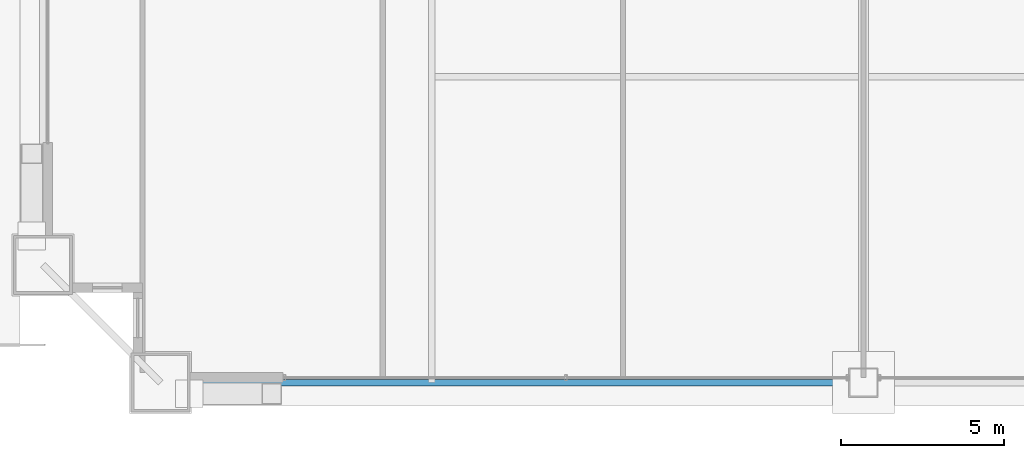
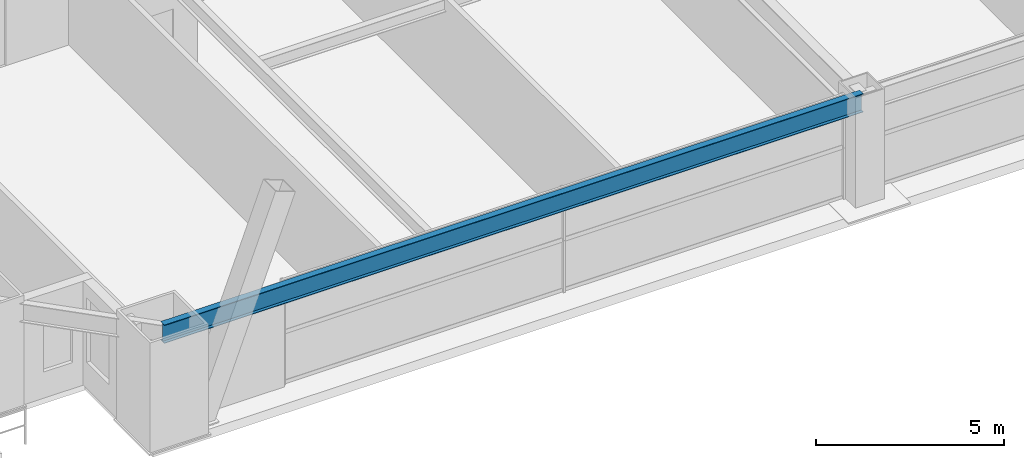
# One storey, part 6 of 45: 1 beam.
"""IFC4 building model written with IfcOpenShell, lengths in metres."""

from ifc_helpers import new_model, si_unit, direction, frame, origin, origin_2d, place, context, subcontext, project, spatial, i_section, extrude, source, transform, mapped, material, material_profile, profile_set, type_object, element, save


model = new_model("IFC4")

# Units and contexts
model_context = context("Model", 3, precision=1e-05, world=origin(), true_north=direction((0.0, 1.0)))
body_context = subcontext(model_context, "Body", "Model", "MODEL_VIEW")
ifc_project = project(units=[si_unit("LENGTHUNIT", "METRE"), si_unit("AREAUNIT", "SQUARE_METRE"), si_unit("VOLUMEUNIT", "CUBIC_METRE"), si_unit("PLANEANGLEUNIT", "RADIAN"), si_unit("MASSUNIT", "GRAM", prefix="KILO"), si_unit("THERMODYNAMICTEMPERATUREUNIT", "KELVIN"), si_unit("POWERUNIT", "WATT")], contexts=[model_context])

# Site, building, storey
site_placement = place(None, origin())
site = spatial("IfcSite", under=ifc_project, at=site_placement, CompositionType="ELEMENT")
building_placement = place(site_placement, origin())
building = spatial("IfcBuilding", under=site, at=building_placement, Name="Yuzanri Waterfront Tower", CompositionType="ELEMENT")
storey_placement = place(building_placement, frame((0.0, 0.0, 30.60009765625)))
storey = spatial("IfcBuildingStorey", under=building, at=storey_placement, Name="L07", CompositionType="ELEMENT", Elevation=30.60009765625)

# Beam
ifc_material = material(Name="Steel Q355B", Category="steel")
ifc_material_profile = material_profile(ifc_material, i_section(OverallWidth=0.199951171875, OverallDepth=0.60009765625, WebThickness=0.010986328125, FlangeThickness=0.01708984375, at=origin_2d()), Name="HN 600x200x11x17")
ifc_profile_set = profile_set([ifc_material_profile], Name="Steel Q355B")
beam_type = type_object("IfcBeamType", Name="Perimeter Spandrel Q355B HN 600x200", PredefinedType="SPANDREL", material=ifc_profile_set)
shared_shape = source(origin(), body_context, "Body", "SweptSolid", [
    extrude(i_section(OverallWidth=0.199951171875, OverallDepth=0.60009765625, WebThickness=0.010986328125, FlangeThickness=0.01708984375, at=origin_2d()), origin(), (0.0, 0.0, 1.0), 21.5),
])
beam_placement = place(storey_placement, frame((15.5, 0.699951171875, 3.079833984375), z_axis=(1.0, 0.0, 0.0), x_axis=(0.0, 1.0, 0.0)))
element("IfcBeam", 1, at=beam_placement, inside=storey, type_object=beam_type, Name="L07 Perimeter Spandrel S1-S2", PredefinedType="SPANDREL", context=body_context, shape_type="MappedRepresentation", body=[
    mapped(shared_shape, transform((0.0, 0.0, 0.0), scale=1.0)),
])

save(model, "model.ifc")
